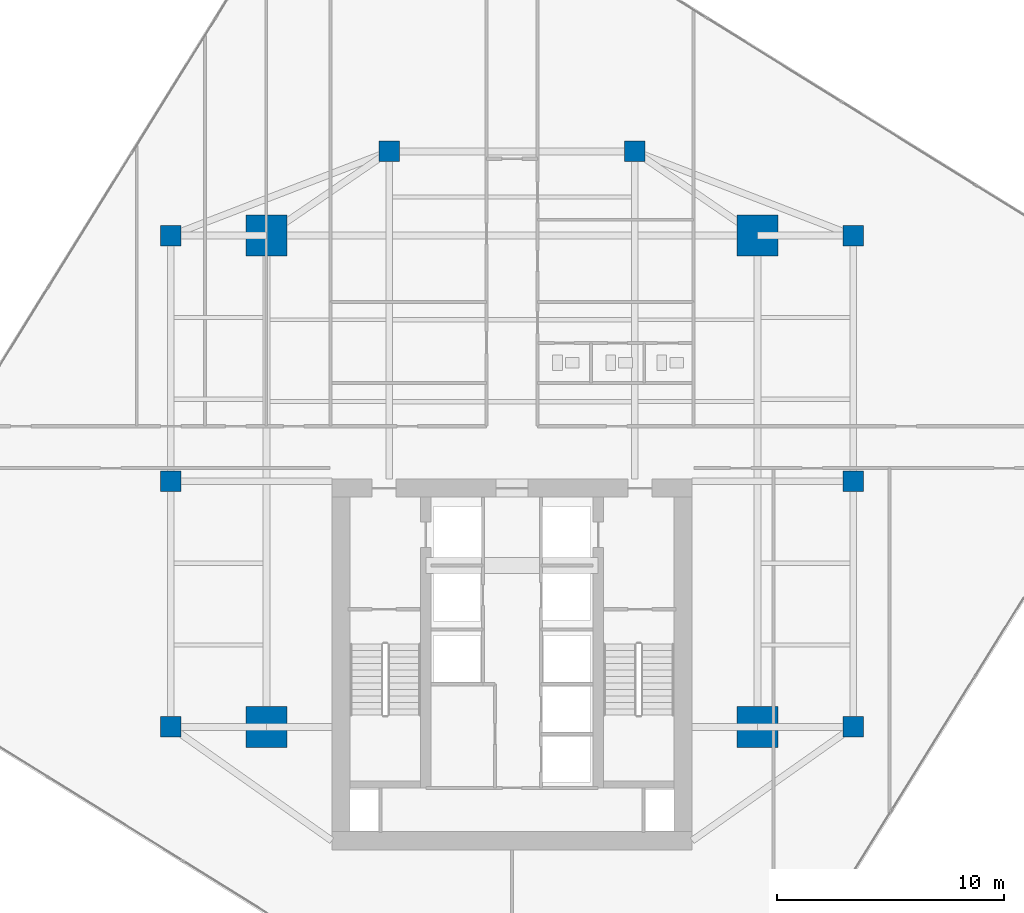
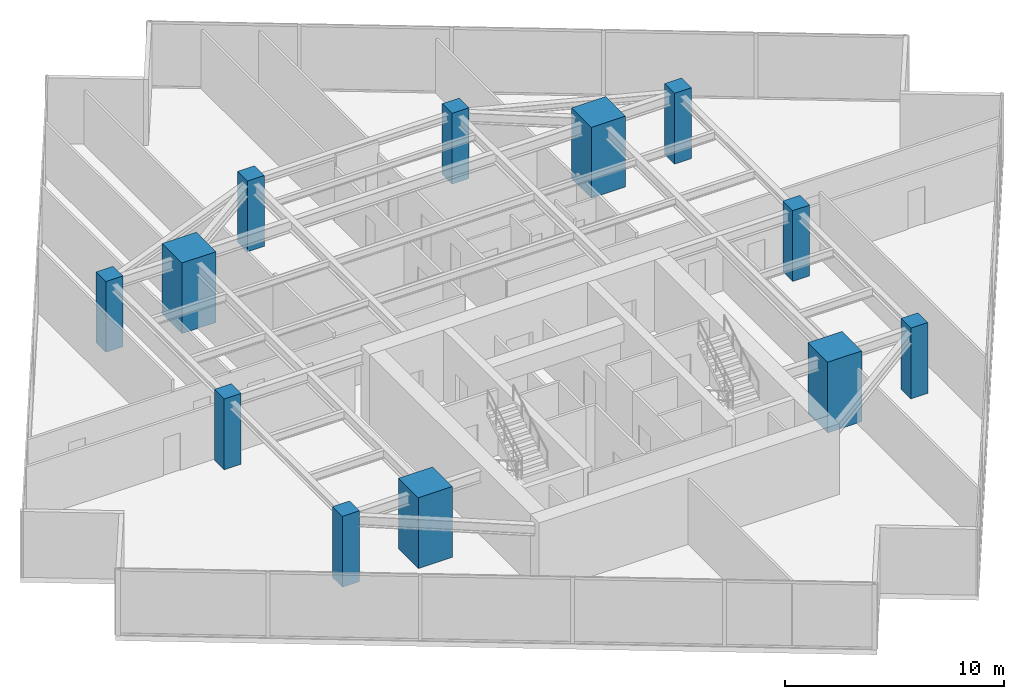
# One storey, part 1 of 25: 12 columns.
"""IFC4 building model written with IfcOpenShell, lengths in metres."""

from ifc_helpers import new_model, si_unit, direction, frame, origin, origin_2d, place, context, subcontext, project, spatial, rectangle, extrude, source, transform, mapped, material, material_profile, profile_set, type_object, type_shapes, element, save


model = new_model("IFC4")

# Units and contexts
model_context = context("Model", 3, precision=1e-05, world=origin(), true_north=direction((0.0, 1.0)))
body_context = subcontext(model_context, "Body", "Model", "MODEL_VIEW")
ifc_project = project(units=[si_unit("LENGTHUNIT", "METRE"), si_unit("AREAUNIT", "SQUARE_METRE"), si_unit("VOLUMEUNIT", "CUBIC_METRE"), si_unit("PLANEANGLEUNIT", "RADIAN"), si_unit("MASSUNIT", "GRAM", prefix="KILO")], contexts=[model_context])

# Site, building, storey
site_placement = place(None, origin())
site = spatial("IfcSite", under=ifc_project, at=site_placement, CompositionType="ELEMENT")
building_placement = place(site_placement, origin())
building = spatial("IfcBuilding", under=site, at=building_placement, Name="Krantzveldt Concourse Tower", CompositionType="ELEMENT")
storey_placement = place(building_placement, frame((0.0, 0.0, 181.75)))
storey = spatial("IfcBuildingStorey", under=building, at=storey_placement, Name="L44", CompositionType="ELEMENT", Elevation=181.75)

# Columns
ifc_material = material(Name="Concrete C50/60", Category="concrete")
ifc_material_profile_1 = material_profile(ifc_material, rectangle(XDim=1.800048828125, YDim=1.800048828125, at=origin_2d()), Name="Concrete C50/60", Category="concrete")
ifc_profile_set_1 = profile_set([ifc_material_profile_1], Name="Concrete C50/60 - RC 1800x1800")
column_type_1 = type_object("IfcColumnType", Name="COL-MC-1800", PredefinedType="USERDEFINED", material=ifc_profile_set_1)
shared_shape_1 = source(origin(), body_context, "Body", "SweptSolid", [
    extrude(rectangle(XDim=1.800048828125, YDim=1.800048828125, at=origin_2d()), origin(), (0.0, 0.0, 1.0), 3.949951171875),
])
type_shapes(column_type_1, [shared_shape_1])
for number, where, z_axis, x_axis, name in (
    (1, (25.199951171875, 15.89990234375, 0.0), (0.0, 0.0, 1.0), (1.0, 0.0, 0.0), "MC-SW-L44"),
    (2, (46.800048828125, 15.89990234375, 0.0), (0.0, 0.0, 1.0), (1.0, 0.0, 0.0), "MC-SE-L44"),
    (3, (46.800048828125, 37.5, 0.0), (0.0, 0.0, 1.0), (1.0, 0.0, 0.0), "MC-NE-L44"),
    (4, (25.199951171875, 37.5, 0.0), (0.0, 0.0, 1.0), (1.0, 0.0, 0.0), "MC-NW-L44"),
):
    element("IfcColumn", number, at=place(storey_placement, frame(where, z_axis=z_axis, x_axis=x_axis)), inside=storey, type_object=column_type_1, Name=name, ObjectType="MEGA COLUMN", PredefinedType="USERDEFINED", context=body_context, shape_type="MappedRepresentation", body=[
        mapped(shared_shape_1, transform((0.0, 0.0, 0.0), x_axis=(1.0, 0.0, 0.0), y_axis=(0.0, 1.0, 0.0), z_axis=(0.0, 0.0, 1.0), scale=1.0)),
    ])
ifc_material_profile_2 = material_profile(ifc_material, rectangle(XDim=0.89990234375, YDim=0.89990234375, at=origin_2d()), Name="Concrete C50/60", Category="concrete")
ifc_profile_set_2 = profile_set([ifc_material_profile_2], Name="Concrete C50/60 - RC 900x900")
column_type_2 = type_object("IfcColumnType", Name="COL-C-Z3", PredefinedType="COLUMN", material=ifc_profile_set_2)
shared_shape_2 = source(origin(), body_context, "Body", "SweptSolid", [
    extrude(rectangle(XDim=0.89990234375, YDim=0.89990234375, at=origin_2d()), origin(), (0.0, 0.0, 1.0), 3.949951171875),
])
type_shapes(column_type_2, [shared_shape_2])
for number, where, z_axis, x_axis, name in (
    (5, (21.0, 15.89990234375, 0.0), (0.0, 0.0, 1.0), (1.0, 0.0, 0.0), "PC-R01-L44"),
    (6, (21.0, 26.699951171875, 0.0), (0.0, 0.0, 1.0), (1.0, 0.0, 0.0), "PC-R02-L44"),
    (7, (21.0, 37.5, 0.0), (0.0, 0.0, 1.0), (1.0, 0.0, 0.0), "PC-R03-L44"),
    (8, (30.60009765625, 41.199951171875, 0.0), (0.0, 0.0, 1.0), (1.0, 0.0, 0.0), "PC-R04-L44"),
    (9, (41.39990234375, 41.199951171875, 0.0), (0.0, 0.0, 1.0), (1.0, 0.0, 0.0), "PC-R05-L44"),
    (10, (51.0, 37.5, 0.0), (0.0, 0.0, 1.0), (1.0, 0.0, 0.0), "PC-R06-L44"),
    (11, (51.0, 26.699951171875, 0.0), (0.0, 0.0, 1.0), (1.0, 0.0, 0.0), "PC-R07-L44"),
    (12, (51.0, 15.89990234375, 0.0), (0.0, 0.0, 1.0), (1.0, 0.0, 0.0), "PC-R08-L44"),
):
    element("IfcColumn", number, at=place(storey_placement, frame(where, z_axis=z_axis, x_axis=x_axis)), inside=storey, type_object=column_type_2, Name=name, PredefinedType="COLUMN", context=body_context, shape_type="MappedRepresentation", body=[
        mapped(shared_shape_2, transform((0.0, 0.0, 0.0), x_axis=(1.0, 0.0, 0.0), y_axis=(0.0, 1.0, 0.0), z_axis=(0.0, 0.0, 1.0), scale=1.0)),
    ])

save(model, "model.ifc")
